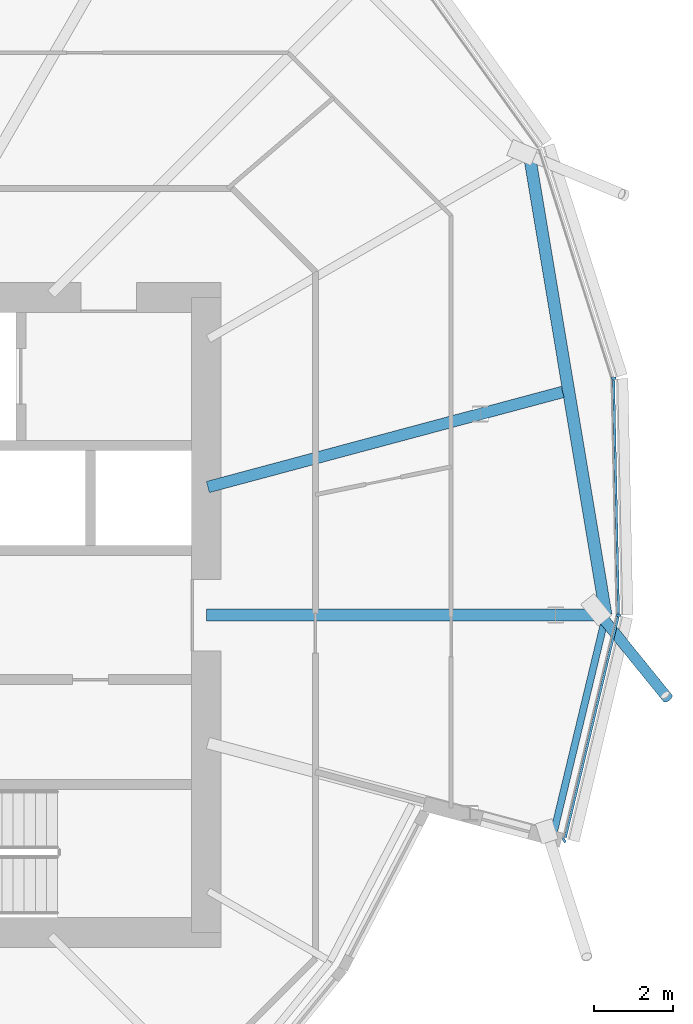
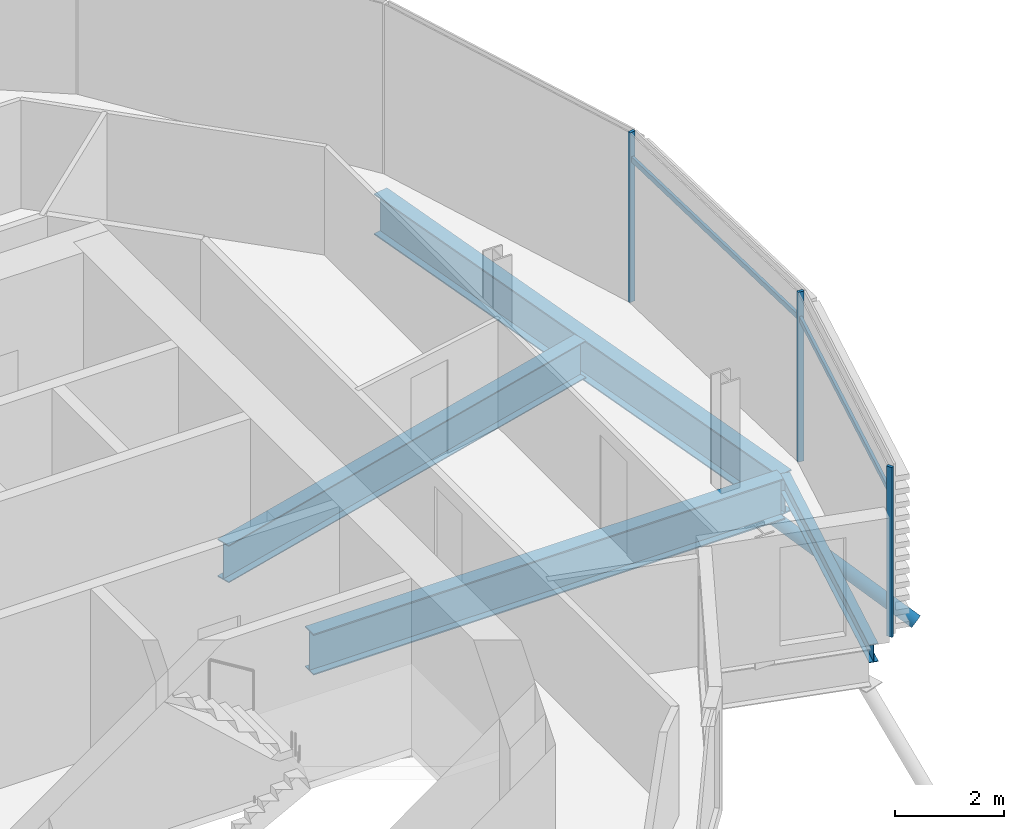
# One storey, part 16 of 40: 6 members, 4 beams, 1 element without a shape of its own.
"""IFC4 building model written with IfcOpenShell, lengths in metres."""

import ifcopenshell
import ifcopenshell.guid

model = None  # the IFC model being written
_history = None  # IfcOwnerHistory: only IFC2X3 demands one
_inside = {}  # id of a spatial element -> (the spatial element, [elements in it])
_under = {}  # id of a project, library or spatial element -> (it, [spatial elements below it])
_declared = {}  # id of a project -> (the project, [libraries it declares])
_typed = {}  # id of a type object -> (the type object, [elements of that type])
_made_of = {}  # id of a material, layer set ... -> (it, [elements and type objects made of it])


def new_model(schema):
    """Start an empty IFC model of exactly this schema.

    Asked for "IFC4X3", IfcOpenShell would pick the latest addendum, in which some entities
    have other attributes; the version numbers below select the first issue.
    IFC2X3 requires an IfcOwnerHistory on every rooted entity: one is made here for all.
    """
    global model, _history
    if schema == "IFC4X3":
        model = ifcopenshell.file(schema_version=(4, 3, 0, 0))
    else:
        model = ifcopenshell.file(schema=schema)
    _inside.clear()
    _under.clear()
    _declared.clear()
    _typed.clear()
    _made_of.clear()
    _history = None
    if model.schema == "IFC2X3":
        org = make("IfcOrganization", Name="unknown")
        user = make(
            "IfcPersonAndOrganization",
            ThePerson=make("IfcPerson", FamilyName="unknown"),
            TheOrganization=org,
        )
        app = make(
            "IfcApplication",
            ApplicationDeveloper=org,
            Version="unknown",
            ApplicationFullName="unknown",
            ApplicationIdentifier="unknown",
        )
        _history = make(
            "IfcOwnerHistory",
            OwningUser=user,
            OwningApplication=app,
            ChangeAction="ADDED",
            CreationDate=0,
        )
    return model


def make(cls, **values):
    """One entity of the class cls with the attributes given. An attribute that is None is left unset."""
    return model.create_entity(
        cls, **{name: value for name, value in values.items() if value is not None}
    )


def rooted(cls, **values):
    """An entity with a GlobalId (a new one), such as an element, a storey or a relation."""
    return make(cls, GlobalId=ifcopenshell.guid.new(), OwnerHistory=_history, **values)


def si_unit(unit_type, name, prefix=None):
    """IfcSIUnit, for example si_unit("LENGTHUNIT", "METRE", prefix="MILLI")."""
    return make("IfcSIUnit", UnitType=unit_type, Prefix=prefix, Name=name)


def assignment(units):
    """IfcUnitAssignment: the units of a project."""
    return None if units is None else make("IfcUnitAssignment", Units=units)


def point(xyz):
    """IfcCartesianPoint."""
    return None if xyz is None else make("IfcCartesianPoint", Coordinates=xyz)


def direction(xyz):
    """IfcDirection."""
    return None if xyz is None else make("IfcDirection", DirectionRatios=xyz)


def frame(location, z_axis=None, x_axis=None):
    """IfcAxis2Placement3D, a coordinate frame: its origin and axes. An axis left out is left unset."""
    return make(
        "IfcAxis2Placement3D",
        Location=point(location),
        Axis=direction(z_axis),
        RefDirection=direction(x_axis),
    )


def frame_2d(location, x_axis=None):
    """IfcAxis2Placement2D, a coordinate frame in the plane: its origin and x axis."""
    return make(
        "IfcAxis2Placement2D", Location=point(location), RefDirection=direction(x_axis)
    )


def origin():
    """The frame at (0, 0, 0) with its axes left unset."""
    return frame((0.0, 0.0, 0.0))


def origin_2d():
    """The frame at (0, 0) in the plane with its x axis left unset."""
    return frame_2d((0.0, 0.0))


def place(relative_to, where):
    """IfcLocalPlacement: puts the frame where relative to a parent placement (None: the world)."""
    return make(
        "IfcLocalPlacement", PlacementRelTo=relative_to, RelativePlacement=where
    )


def context(
    kind, dimensions, precision=None, world=None, true_north=None, identifier=None
):
    """IfcGeometricRepresentationContext, for example the 3D "Model" context."""
    return make(
        "IfcGeometricRepresentationContext",
        ContextIdentifier=identifier,
        ContextType=kind,
        CoordinateSpaceDimension=dimensions,
        Precision=precision,
        WorldCoordinateSystem=world,
        TrueNorth=true_north,
    )


def subcontext(parent, identifier, kind, view, scale=None):
    """IfcGeometricRepresentationSubContext, for example "Body" below "Model"."""
    return make(
        "IfcGeometricRepresentationSubContext",
        ContextIdentifier=identifier,
        ContextType=kind,
        ParentContext=parent,
        TargetScale=scale,
        TargetView=view,
    )


def project(units=None, contexts=None):
    """IfcProject with its units and contexts."""
    return rooted(
        "IfcProject",
        Name="project",
        RepresentationContexts=contexts,
        UnitsInContext=assignment(units),
    )


def spatial(cls, under=None, at=None, **own):
    """A site, building, storey or space (cls), placed at a placement, below another one or the project."""
    s = rooted(cls, ObjectPlacement=at, **own)
    if under is not None:
        _under.setdefault(under.id(), (under, []))[1].append(s)
    return s


def profile(cls, at=None, kind="AREA", **sizes):
    """A parametric profile (cls). Its sizes go by their IFC names, for example OverallWidth=200.0."""
    return make(cls, ProfileType=kind, Position=at, **sizes)


def rectangle(**sizes):
    """IfcRectangleProfileDef."""
    return profile("IfcRectangleProfileDef", **sizes)


def hollow_circle(**sizes):
    """IfcCircleHollowProfileDef."""
    return profile("IfcCircleHollowProfileDef", **sizes)


def i_section(**sizes):
    """IfcIShapeProfileDef."""
    return profile("IfcIShapeProfileDef", **sizes)


def extrude(swept, where, along, depth):
    """IfcExtrudedAreaSolid: the profile swept, set in the frame where, extruded along a direction by depth."""
    return make(
        "IfcExtrudedAreaSolid",
        SweptArea=swept,
        Position=where,
        ExtrudedDirection=direction(along),
        Depth=depth,
    )


def clip(a, b, op="DIFFERENCE"):
    """IfcBooleanClippingResult: the solid a cut by the half space b."""
    return make(
        "IfcBooleanClippingResult", Operator=op, FirstOperand=a, SecondOperand=b
    )


def halfspace(plane, agree):
    """IfcHalfSpaceSolid: all space on one side of the plane z = 0 of the frame plane."""
    return make(
        "IfcHalfSpaceSolid",
        BaseSurface=make("IfcPlane", Position=plane),
        AgreementFlag=agree,
    )


def shape(context_of_items, identifier, shape_type, items):
    """IfcShapeRepresentation: the items that make up one representation, for example the "Body"."""
    return make(
        "IfcShapeRepresentation",
        ContextOfItems=context_of_items,
        RepresentationIdentifier=identifier,
        RepresentationType=shape_type,
        Items=items,
    )


def material(Name=None, Category=None):
    """IfcMaterial."""
    return make("IfcMaterial", Name=Name, Category=Category)


def material_profile(
    of_material, cross_section, Name=None, Category=None, Priority=None
):
    """IfcMaterialProfile: a cross section and its material."""
    return make(
        "IfcMaterialProfile",
        Name=Name,
        Material=of_material,
        Profile=cross_section,
        Priority=Priority,
        Category=Category,
    )


def profile_set(profiles, Name=None, composite=None):
    """IfcMaterialProfileSet."""
    return make(
        "IfcMaterialProfileSet",
        Name=Name,
        MaterialProfiles=profiles,
        CompositeProfile=composite,
    )


def made_of(thing, what):
    """Note that an element or type object is made of a material, layer set ...; save() writes the relation."""
    if what is not None:
        _made_of.setdefault(what.id(), (what, []))[1].append(thing)
    return thing


def type_object(cls, material=None, **own):
    """A type object (cls), such as IfcWallType, which elements share."""
    return made_of(rooted(cls, **own), material)


def element(
    cls,
    number,
    at=None,
    inside=None,
    cuts=None,
    type_object=None,
    material=None,
    context=None,
    identifier="Body",
    shape_type=None,
    held_by="IfcProductDefinitionShape",
    body=None,
    shapes=None,
    **own,
):
    """One element of the class cls, such as IfcWall. Its Tag is "e" and its number.

    at: its placement. inside: the storey or other place that contains it. cuts: it is an
    opening in that element (IfcRelVoidsElement). A single representation is given by context,
    identifier, shape_type and body (its items); several are given by shapes. held_by: the class
    of the entity that holds the representations. save() writes the other relations.
    """
    e = rooted(cls, Tag="e%d" % number, ObjectPlacement=at, **own)
    if body is not None:
        shapes = [shape(context, identifier, shape_type, body)]
    if shapes is not None:
        e.Representation = make(held_by, Representations=shapes)
    if inside is not None:
        _inside.setdefault(inside.id(), (inside, []))[1].append(e)
    if cuts is not None:
        rooted(
            "IfcRelVoidsElement", RelatingBuildingElement=cuts, RelatedOpeningElement=e
        )
    if type_object is not None:
        _typed.setdefault(type_object.id(), (type_object, []))[1].append(e)
    return made_of(e, material)


def aggregate(whole, parts):
    """IfcRelAggregates: a whole, such as a stair, and the parts it consists of."""
    return rooted("IfcRelAggregates", RelatingObject=whole, RelatedObjects=parts)


def save(model, path):
    """Write the relations noted so far, then the file.

    IfcRelAggregates (storeys below a building ...), IfcRelContainedInSpatialStructure (elements
    in a storey), IfcRelDefinesByType, IfcRelAssociatesMaterial and IfcRelDeclares: one each for
    every whole, place, type object, material and project.
    """
    for whole, parts in _under.values():
        aggregate(whole, parts)
    for where, things in _inside.values():
        rooted(
            "IfcRelContainedInSpatialStructure",
            RelatedElements=things,
            RelatingStructure=where,
        )
    for kind, things in _typed.values():
        rooted("IfcRelDefinesByType", RelatedObjects=things, RelatingType=kind)
    for what, things in _made_of.values():
        rooted("IfcRelAssociatesMaterial", RelatedObjects=things, RelatingMaterial=what)
    for by, libraries in _declared.values():
        rooted("IfcRelDeclares", RelatingContext=by, RelatedDefinitions=libraries)
    model.write(path)


model = new_model("IFC4")

# Units and contexts
model_context = context("Model", 3, precision=1e-05, world=origin(), true_north=direction((0.0, 1.0)))
body_context = subcontext(model_context, "Body", "Model", "MODEL_VIEW")
ifc_project = project(units=[si_unit("LENGTHUNIT", "METRE"), si_unit("AREAUNIT", "SQUARE_METRE"), si_unit("VOLUMEUNIT", "CUBIC_METRE"), si_unit("PLANEANGLEUNIT", "RADIAN"), si_unit("MASSUNIT", "GRAM", prefix="KILO")], contexts=[model_context])

# Site, building, storey
site_placement = place(None, origin())
site = spatial("IfcSite", under=ifc_project, at=site_placement, CompositionType="ELEMENT")
building_placement = place(site_placement, origin())
building = spatial("IfcBuilding", under=site, at=building_placement, Name="Rimbun Link Towers", CompositionType="ELEMENT")
storey_placement = place(building_placement, frame((0.0, 0.0, 89.199951171875)))
storey = spatial("IfcBuildingStorey", under=building, at=storey_placement, Name="L21", CompositionType="ELEMENT", Elevation=89.199951171875)

# Curtain wall, members
ifc_material_1 = material(Name="Aluminium 6063-T6 and low-iron glass", Category="aluminium")
curtain_wall_type = type_object("IfcCurtainWallType", Name="CW1-Z2 unitised vision wall (zone 2)", PredefinedType="NOTDEFINED", material=ifc_material_1)
curtain_wall_placement = place(storey_placement, origin())
curtain_wall = element("IfcCurtainWall", 1, at=curtain_wall_placement, inside=storey, type_object=curtain_wall_type, Name="CW1 L21 T2", PredefinedType="NOTDEFINED")
ifc_material_2 = material(Name="Aluminium 6063-T6", Category="aluminium")
ifc_material_profile_1 = material_profile(ifc_material_2, rectangle(XDim=0.1201171875, YDim=0.06005859375, at=origin_2d()), Name="MULLION 60X120")
ifc_profile_set_1 = profile_set([ifc_material_profile_1], Name="Aluminium 6063-T6")
member_type_1 = type_object("IfcMemberType", Name="CW1 mullion 60X120", PredefinedType="MULLION", material=ifc_profile_set_1)
member_1_placement = place(storey_placement, frame((54.137939453125, -0.00634765625, 0.0), z_axis=(0.0, 0.0, 1.0), x_axis=(0.994298279657, -0.106634567902, 0.0)))
member_1 = element("IfcMember", 2, at=member_1_placement, type_object=member_type_1, Name="CW1 mullion", PredefinedType="MULLION", context=body_context, shape_type="SweptSolid", body=[
    extrude(rectangle(XDim=0.1201171875, YDim=0.06005859375, at=origin_2d()), origin(), (0.0, 0.0, 1.0), 3.800048828125),
])
member_2_placement = place(storey_placement, frame((52.764404296875, -5.674072265625, 0.0), z_axis=(0.0, 0.0, 1.0), x_axis=(0.51166983608, -0.859182156964, 0.0)))
member_2 = element("IfcMember", 3, at=member_2_placement, type_object=member_type_1, Name="CW1 mullion", PredefinedType="MULLION", context=body_context, shape_type="SweptSolid", body=[
    extrude(rectangle(XDim=0.1201171875, YDim=0.06005859375, at=origin_2d()), origin(), (0.0, 0.0, 1.0), 3.800048828125),
])
member_3_placement = place(storey_placement, frame((54.01220703125, 5.959228515625, 0.0), z_axis=(0.0, 0.0, 1.0), x_axis=(0.986502743935, 0.163744728794, 0.0)))
member_3 = element("IfcMember", 4, at=member_3_placement, type_object=member_type_1, Name="CW1 mullion", PredefinedType="MULLION", context=body_context, shape_type="SweptSolid", body=[
    extrude(rectangle(XDim=0.1201171875, YDim=0.06005859375, at=origin_2d()), origin(), (0.0, 0.0, 1.0), 3.800048828125),
])
ifc_material_3 = material(Name="Aluminium 6063-T6", Category="aluminium")
ifc_material_profile_2 = material_profile(ifc_material_3, rectangle(XDim=0.06005859375, YDim=0.1201171875, at=origin_2d()), Name="TRANSOM 60X120")
ifc_profile_set_2 = profile_set([ifc_material_profile_2], Name="Aluminium 6063-T6")
member_type_2 = type_object("IfcMemberType", Name="CW1 transom 60X120", PredefinedType="USERDEFINED", material=ifc_profile_set_2)
member_4_placement = place(storey_placement, frame((54.127685546875, -0.042724609375, 3.199951171875), z_axis=(-0.232572335709, -0.972579101494, 0.0), x_axis=(0.972579101494, -0.232572335709, 0.0)))
member_4 = element("IfcMember", 5, at=member_4_placement, type_object=member_type_2, Name="CW1 transom", ObjectType="TRANSOM", PredefinedType="USERDEFINED", context=body_context, shape_type="SweptSolid", body=[
    extrude(rectangle(XDim=0.06005859375, YDim=0.1201171875, at=origin_2d()), origin(), (0.0, 0.0, 1.0), 5.72119140625),
])
member_5_placement = place(storey_placement, frame((54.01171875, 5.92041015625, 3.199951171875), z_axis=(0.021054945137, -0.999778320072, 0.0), x_axis=(0.999778320072, 0.021054945137, 0.0)))
member_5 = element("IfcMember", 6, at=member_5_placement, type_object=member_type_2, Name="CW1 transom", ObjectType="TRANSOM", PredefinedType="USERDEFINED", context=body_context, shape_type="SweptSolid", body=[
    extrude(rectangle(XDim=0.06005859375, YDim=0.1201171875, at=origin_2d()), origin(), (0.0, 0.0, 1.0), 5.890380859375),
])
aggregate(curtain_wall, [member_1, member_2, member_3, member_4, member_5])

# Member
ifc_material_4 = material(Name="Steel S355J2H", Category="steel")
ifc_material_profile_3 = material_profile(ifc_material_4, hollow_circle(Radius=0.136474609375, WallThickness=0.012451171875, at=origin_2d()), Name="CHS 273x12.5")
ifc_profile_set_3 = profile_set([ifc_material_profile_3], Name="Steel S355J2H")
member_type_3 = type_object("IfcMemberType", Name="Floor edge link CHS 273x12.5", PredefinedType="BRACE", material=ifc_profile_set_3)
member_6_placement = place(storey_placement, frame((53.6787109375, 0.0, -1.1962890625), z_axis=(0.544176813428, -0.671307775876, -0.503207179774), x_axis=(0.776827518432, 0.629713432132, 0.0)))
element("IfcMember", 7, at=member_6_placement, inside=storey, type_object=member_type_3, Name="Floor edge link T2 L21 21", PredefinedType="BRACE", context=body_context, shape_type="Clipping", body=[
    clip(extrude(hollow_circle(Radius=0.136474609375, WallThickness=0.012451171875, at=origin_2d()), frame((0.0, 0.0, -0.48876953125)), (0.0, 0.0, 1.0), 3.611328125), halfspace(frame((0.0, 0.0, -0.23046875), z_axis=(0.0, 0.864165802508, -0.503207179774)), False)),
])

# Beams
ifc_material_5 = material(Name="Steel S355J2", Category="steel")
ifc_material_profile_4 = material_profile(ifc_material_5, i_section(OverallWidth=0.177978515625, OverallDepth=0.406494140625, WebThickness=0.0078125, FlangeThickness=0.0126953125, at=origin_2d()), Name="UB 406x178x60")
ifc_profile_set_4 = profile_set([ifc_material_profile_4], Name="Steel S355J2")
beam_type_1 = type_object("IfcBeamType", Name="UB 406x178x60", PredefinedType="BEAM", material=ifc_profile_set_4)
beam_1_placement = place(storey_placement, frame((52.4873046875, -5.555419921875, -0.363037109375), z_axis=(0.233484486787, 0.97236052698, 0.0), x_axis=(-0.97236052698, 0.233484486787, 0.0)))
element("IfcBeam", 8, at=beam_1_placement, inside=storey, type_object=beam_type_1, Name="Edge beam T2 L21 20", PredefinedType="BEAM", context=body_context, shape_type="SweptSolid", body=[
    extrude(i_section(OverallWidth=0.177978515625, OverallDepth=0.406494140625, WebThickness=0.0078125, FlangeThickness=0.0126953125, at=origin_2d()), origin(), (0.0, 0.0, 1.0), 5.71240234375),
])
ifc_material_6 = material(Name="Steel S355J2", Category="steel")
ifc_material_profile_5 = material_profile(ifc_material_6, i_section(OverallWidth=0.29248046875, OverallDepth=0.8408203125, WebThickness=0.0126953125, FlangeThickness=0.021728515625, at=origin_2d()), Name="UB 838x292x194")
ifc_profile_set_5 = profile_set([ifc_material_profile_5], Name="Steel S355J2")
beam_type_2 = type_object("IfcBeamType", Name="UB 838x292x194", PredefinedType="BEAM", material=ifc_profile_set_5)
beam_2_placement = place(storey_placement, frame((43.788818359375, 3.225830078125, -0.580322265625), z_axis=(0.96592956752, 0.258805082234, 0.0), x_axis=(-0.258805082234, 0.96592956752, 0.0)))
element("IfcBeam", 9, at=beam_2_placement, inside=storey, type_object=beam_type_2, Name="Radial beam T2 L21 22", PredefinedType="BEAM", context=body_context, shape_type="SweptSolid", body=[
    extrude(i_section(OverallWidth=0.29248046875, OverallDepth=0.8408203125, WebThickness=0.0126953125, FlangeThickness=0.021728515625, at=origin_2d()), origin(), (0.0, 0.0, 1.0), 9.256103515625),
])
ifc_material_7 = material(Name="Steel S355J2", Category="steel")
ifc_material_profile_6 = material_profile(ifc_material_7, i_section(OverallWidth=0.305419921875, OverallDepth=0.91845703125, WebThickness=0.017333984375, FlangeThickness=0.02783203125, at=origin_2d()), Name="UB 914x305x253")
ifc_profile_set_6 = profile_set([ifc_material_profile_6], Name="Steel S355J2")
beam_type_3 = type_object("IfcBeamType", Name="UB 914x305x253", PredefinedType="BEAM", material=ifc_profile_set_6)
beam_3_placement = place(storey_placement, frame((43.7509765625, 0.0, -0.619140625), z_axis=(1.0, 0.0, 0.0), x_axis=(0.0, 1.0, 0.0)))
element("IfcBeam", 10, at=beam_3_placement, inside=storey, type_object=beam_type_3, Name="Radial beam T2 L21 21", PredefinedType="BEAM", context=body_context, shape_type="SweptSolid", body=[
    extrude(i_section(OverallWidth=0.305419921875, OverallDepth=0.91845703125, WebThickness=0.017333984375, FlangeThickness=0.02783203125, at=origin_2d()), origin(), (0.0, 0.0, 1.0), 9.977783203125),
])
beam_4_placement = place(storey_placement, frame((53.821044921875, 0.0009765625, -0.619140625), z_axis=(-0.164246342139, 0.986419352554, 0.0), x_axis=(-0.986419352554, -0.164246342139, 0.0)))
element("IfcBeam", 11, at=beam_4_placement, inside=storey, type_object=beam_type_3, Name="Edge beam T2 L21 21-23", PredefinedType="BEAM", context=body_context, shape_type="SweptSolid", body=[
    extrude(i_section(OverallWidth=0.305419921875, OverallDepth=0.91845703125, WebThickness=0.017333984375, FlangeThickness=0.02783203125, at=origin_2d()), origin(), (0.0, 0.0, 1.0), 11.67138671875),
])

save(model, "model.ifc")
